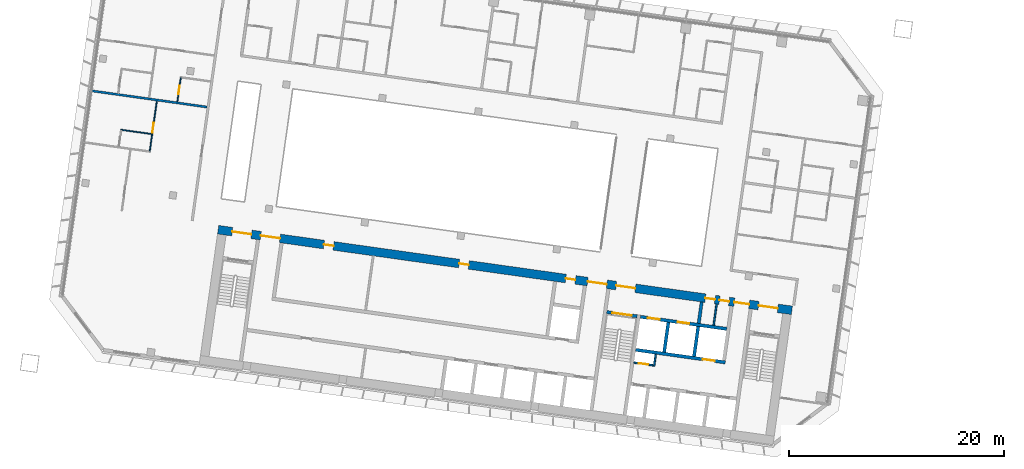
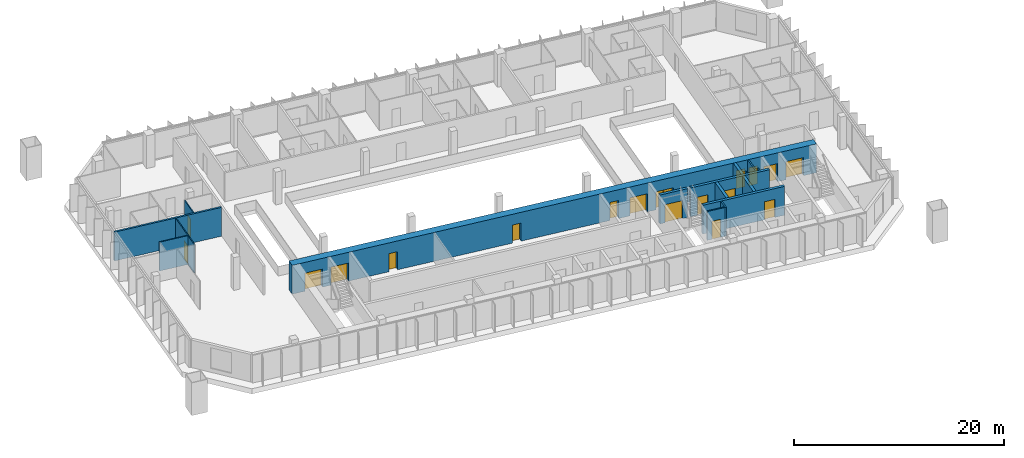
# One storey, part 15 of 27: 18 doors, 14 walls, 18 openings.
"""IFC4 building model written with IfcOpenShell, lengths in metres."""

from ifc_helpers import new_model, si_unit, direction, frame, frame_2d, origin, place, context, subcontext, project, spatial, rectangle, extrude, material, layer, layer_set, type_object, element, fill, save


model = new_model("IFC4")

# Units and contexts
model_context = context("Model", 3, precision=1e-05, world=origin(), true_north=direction((0.0, 1.0)))
body_context = subcontext(model_context, "Body", "Model", "MODEL_VIEW")
ifc_project = project(units=[si_unit("LENGTHUNIT", "METRE"), si_unit("AREAUNIT", "SQUARE_METRE"), si_unit("VOLUMEUNIT", "CUBIC_METRE"), si_unit("PLANEANGLEUNIT", "RADIAN"), si_unit("MASSUNIT", "GRAM", prefix="KILO")], contexts=[model_context])

# Site, building, storey
site_placement = place(None, origin())
site = spatial("IfcSite", under=ifc_project, at=site_placement, CompositionType="ELEMENT")
building_placement = place(site_placement, origin())
building = spatial("IfcBuilding", under=site, at=building_placement, Name="Mirante Cascada Hotel Towers", CompositionType="ELEMENT")
storey_placement = place(building_placement, frame((0.0, 0.0, 117.7)))
storey = spatial("IfcBuildingStorey", under=building, at=storey_placement, Name="L26", CompositionType="ELEMENT", Elevation=117.7)

# Walls
ifc_material_1 = material(Name="Fire-rated plasterboard on metal studs")
ifc_layer_1 = layer(ifc_material_1, 0.2)
ifc_layer_set_1 = layer_set([ifc_layer_1], Name="Compartment wall 200 EI 120")
wall_type_1 = type_object("IfcWallType", Name="Compartment wall 200 EI 120", PredefinedType="PARTITIONING", material=ifc_layer_set_1)
wall_1_placement = place(storey_placement, frame((-89.7337, 11.2758, 0.0), z_axis=(0.0, 0.0, 1.0), x_axis=(-0.990268, 0.1391733, 0.0)))
element("IfcWall", 1, at=wall_1_placement, inside=storey, type_object=wall_type_1, Name="Wall 1-L26-09", PredefinedType="PARTITIONING", context=body_context, shape_type="SweptSolid", body=[
    extrude(rectangle(XDim=11.0, YDim=0.2, at=frame_2d((5.5, 0.0))), origin(), (0.0, 0.0, 1.0), 3.35),
])
ifc_material_2 = material(Name="Masonry block", Category="masonry")
ifc_layer_2 = layer(ifc_material_2, 0.15)
ifc_layer_set_2 = layer_set([ifc_layer_2], Name="Core room partition 150 block EI 30")
wall_type_2 = type_object("IfcWallType", Name="Core room partition 150 block EI 30", PredefinedType="PARTITIONING", material=ifc_layer_set_2)
wall_2_placement = place(storey_placement, frame((-48.2295, -12.793, 0.0), z_axis=(0.0, 0.0, 1.0), x_axis=(0.1391935, 0.9902652, 0.0)))
element("IfcWall", 2, at=wall_2_placement, inside=storey, type_object=wall_type_2, Name="Core wall partition T1 L26 2", PredefinedType="PARTITIONING", context=body_context, shape_type="SweptSolid", body=[
    extrude(rectangle(XDim=1.1251, YDim=0.15, at=frame_2d((0.5626, 0.0))), origin(), (0.0, 0.0, 1.0), 3.35),
])

# Wall, opening, door
wall_3_placement = place(storey_placement, frame((-48.2933, -12.7083, 0.0), z_axis=(0.0, 0.0, 1.0), x_axis=(-0.990268, 0.1391734, 0.0)))
wall_3 = element("IfcWall", 3, at=wall_3_placement, inside=storey, type_object=wall_type_2, Name="Core wall partition T1 L26 3", PredefinedType="PARTITIONING", context=body_context, shape_type="SweptSolid", body=[
    extrude(rectangle(XDim=1.8251, YDim=0.15, at=frame_2d((0.9126, 0.0))), origin(), (0.0, 0.0, 1.0), 3.35),
])
opening_1_placement = place(wall_3_placement, frame((0.4625, 0.0, 0.0)))
opening_1 = element("IfcOpeningElement", 4, at=opening_1_placement, cuts=wall_3, Name="Opening D1-26-C23", PredefinedType="OPENING", context=body_context, shape_type="SweptSolid", body=[
    extrude(rectangle(XDim=0.9, YDim=2.1, at=frame_2d((0.45, 1.05))), frame((0.0, 0.075, 0.0), z_axis=(0.0, -1.0, 0.0), x_axis=(1.0, 0.0, 0.0)), (0.0, 0.0, 1.0), 0.15),
])
ifc_material_3 = material(Name="Hollow metal fire door leaf")
door_type_1 = type_object("IfcDoorType", Name="Fire door 900x2100 FD60", OperationType="NOTDEFINED", PredefinedType="DOOR", material=ifc_material_3)
door_1_placement = place(opening_1_placement, origin())
door_1 = element("IfcDoor", 5, at=door_1_placement, inside=storey, type_object=door_type_1, Name="Riser door T1 L26 23", OperationType="SINGLE_SWING_LEFT", OverallHeight=2.1, OverallWidth=0.9, PredefinedType="DOOR", context=body_context, shape_type="SweptSolid", body=[
    extrude(rectangle(XDim=0.9, YDim=2.1, at=frame_2d((0.45, 1.05))), frame((0.0, 0.025, 0.0), z_axis=(0.0, -1.0, 0.0), x_axis=(1.0, 0.0, 0.0)), (0.0, 0.0, 1.0), 0.05),
])
fill(opening_1, door_1)

# Walls
wall_4_placement = place(storey_placement, frame((-42.6979, -9.0009, 0.0), z_axis=(0.0, 0.0, 1.0), x_axis=(0.1391529, 0.9902709, 0.0)))
element("IfcWall", 6, at=wall_4_placement, inside=storey, type_object=wall_type_2, Name="Core wall partition T1 L26 4", PredefinedType="PARTITIONING", context=body_context, shape_type="SweptSolid", body=[
    extrude(rectangle(XDim=2.0, YDim=0.15, at=frame_2d((1.0, 0.0))), origin(), (0.0, 0.0, 1.0), 3.35),
])
ifc_material_4 = material(Name="Masonry block", Category="masonry")
ifc_layer_3 = layer(ifc_material_4, 0.3)
ifc_layer_set_3 = layer_set([ifc_layer_3], Name="Core wall 300 block EI 120")
wall_type_3 = type_object("IfcWallType", Name="Core wall 300 block EI 120", PredefinedType="PARTITIONING", material=ifc_layer_set_3)
wall_5_placement = place(storey_placement, frame((-44.0843, -8.8061, 0.0), z_axis=(0.0, 0.0, 1.0), x_axis=(0.1391951, 0.990265, 0.0)))
element("IfcWall", 7, at=wall_5_placement, inside=storey, type_object=wall_type_3, Name="Core wall partition T1 L26 1", PredefinedType="PARTITIONING", context=body_context, shape_type="SweptSolid", body=[
    extrude(rectangle(XDim=2.0001, YDim=0.3, at=frame_2d((1.0001, 0.0))), origin(), (0.0, 0.0, 1.0), 3.35),
])
ifc_material_5 = material(Name="Plasterboard on metal studs")
ifc_layer_4 = layer(ifc_material_5, 0.1)
ifc_layer_set_4 = layer_set([ifc_layer_4], Name="Partition 100")
wall_type_4 = type_object("IfcWallType", Name="Partition 100", PredefinedType="PARTITIONING", material=ifc_layer_set_4)
wall_6_placement = place(storey_placement, frame((-94.8828, 8.768, 0.0), z_axis=(0.0, 0.0, 1.0), x_axis=(-0.9902683, 0.1391714, 0.0)))
element("IfcWall", 8, at=wall_6_placement, inside=storey, type_object=wall_type_4, Name="Wall 1-L26-05", PredefinedType="PARTITIONING", context=body_context, shape_type="SweptSolid", body=[
    extrude(rectangle(XDim=2.9, YDim=0.1, at=frame_2d((1.45, 0.0))), origin(), (0.0, 0.0, 1.0), 3.35),
])

# Wall, opening, door
wall_7_placement = place(storey_placement, frame((-92.4925, 11.7645, 0.0), z_axis=(0.0, 0.0, 1.0), x_axis=(0.1391561, 0.9902705, 0.0)))
wall_7 = element("IfcWall", 9, at=wall_7_placement, inside=storey, type_object=wall_type_4, Name="Wall 1-L26-57", PredefinedType="PARTITIONING", context=body_context, shape_type="SweptSolid", body=[
    extrude(rectangle(XDim=2.25, YDim=0.1, at=frame_2d((1.125, 0.0))), origin(), (0.0, 0.0, 1.0), 3.35),
])
opening_2_placement = place(wall_7_placement, frame((0.7, 0.0, 0.0)))
opening_2 = element("IfcOpeningElement", 10, at=opening_2_placement, cuts=wall_7, Name="Opening D1-L26-37", PredefinedType="OPENING", context=body_context, shape_type="SweptSolid", body=[
    extrude(rectangle(XDim=0.8, YDim=2.1, at=frame_2d((0.4, 1.05))), frame((0.0, 0.05, 0.0), z_axis=(0.0, -1.0, 0.0), x_axis=(1.0, 0.0, 0.0)), (0.0, 0.0, 1.0), 0.1),
])
ifc_material_6 = material(Name="Timber door leaf", Category="wood")
door_type_2 = type_object("IfcDoorType", Name="Bathroom door DG4 800x2100", OperationType="SINGLE_SWING_LEFT", PredefinedType="DOOR", material=ifc_material_6)
door_2_placement = place(opening_2_placement, frame((0.8, 0.0, 0.0), z_axis=(0.0, 0.0, 1.0), x_axis=(-1.0, 0.0, 0.0)))
door_2 = element("IfcDoor", 11, at=door_2_placement, inside=storey, type_object=door_type_2, Name="Door D1-L26-37", OperationType="SINGLE_SWING_RIGHT", OverallHeight=2.1, OverallWidth=0.8, PredefinedType="DOOR", context=body_context, shape_type="SweptSolid", body=[
    extrude(rectangle(XDim=0.8, YDim=2.1, at=frame_2d((0.4, 1.05))), frame((0.0, 0.025, 0.0), z_axis=(0.0, -1.0, 0.0), x_axis=(1.0, 0.0, 0.0)), (0.0, 0.0, 1.0), 0.05),
])
fill(opening_2, door_2)

wall_8_placement = place(storey_placement, frame((-94.4019, 11.8309, 0.0), z_axis=(0.0, 0.0, 1.0), x_axis=(-0.139176, -0.9902677, 0.0)))
wall_8 = element("IfcWall", 12, at=wall_8_placement, inside=storey, type_object=wall_type_4, Name="Wall 1-L26-58", PredefinedType="PARTITIONING", context=body_context, shape_type="SweptSolid", body=[
    extrude(rectangle(XDim=4.6833, YDim=0.1, at=frame_2d((2.3416, 0.0))), origin(), (0.0, 0.0, 1.0), 3.35),
])
opening_3_placement = place(wall_8_placement, frame((2.05, 0.0, 0.0)))
opening_3 = element("IfcOpeningElement", 13, at=opening_3_placement, cuts=wall_8, Name="Opening D1-L26-38", PredefinedType="OPENING", context=body_context, shape_type="SweptSolid", body=[
    extrude(rectangle(XDim=0.9, YDim=2.1, at=frame_2d((0.45, 1.05))), frame((0.0, 0.05, 0.0), z_axis=(0.0, -1.0, 0.0), x_axis=(1.0, 0.0, 0.0)), (0.0, 0.0, 1.0), 0.1),
])
ifc_material_7 = material(Name="Timber door leaf", Category="wood")
door_type_3 = type_object("IfcDoorType", Name="Room door DG3 900x2100", OperationType="SINGLE_SWING_LEFT", PredefinedType="DOOR", material=ifc_material_7)
door_3_placement = place(opening_3_placement, origin())
door_3 = element("IfcDoor", 14, at=door_3_placement, inside=storey, type_object=door_type_3, Name="Door D1-L26-38", OperationType="SINGLE_SWING_LEFT", OverallHeight=2.1, OverallWidth=0.9, PredefinedType="DOOR", context=body_context, shape_type="SweptSolid", body=[
    extrude(rectangle(XDim=0.9, YDim=2.1, at=frame_2d((0.45, 1.05))), frame((0.0, 0.025, 0.0), z_axis=(0.0, -1.0, 0.0), x_axis=(1.0, 0.0, 0.0)), (0.0, 0.0, 1.0), 0.05),
])
fill(opening_3, door_3)

ifc_material_8 = material(Name="Concrete C50/60", Category="concrete")
ifc_layer_5 = layer(ifc_material_8, 0.3)
ifc_layer_set_5 = layer_set([ifc_layer_5], Name="RC core wall 300 C50/60")
wall_type_5 = type_object("IfcWallType", Name="RC core wall 300 C50/60", PredefinedType="SHEAR", material=ifc_layer_set_5)
wall_9_placement = place(storey_placement, frame((-49.7992, -8.1544, 0.0), z_axis=(0.0, 0.0, 1.0), x_axis=(-0.9902656, 0.1391909, 0.0)))
wall_9 = element("IfcWall", 15, at=wall_9_placement, inside=storey, type_object=wall_type_5, Name="Core wall T1:L26:10", PredefinedType="SHEAR", context=body_context, shape_type="SweptSolid", body=[
    extrude(rectangle(XDim=2.85, YDim=0.3, at=frame_2d((1.425, 0.0))), origin(), (0.0, 0.0, 1.0), 3.35),
])
opening_4_placement = place(wall_9_placement, frame((0.525, 0.0, 0.0)))
opening_4 = element("IfcOpeningElement", 16, at=opening_4_placement, cuts=wall_9, Name="Opening D1-26-C15", PredefinedType="OPENING", context=body_context, shape_type="SweptSolid", body=[
    extrude(rectangle(XDim=1.8, YDim=2.1, at=frame_2d((0.9, 1.05))), frame((0.0, 0.15, 0.0), z_axis=(0.0, -1.0, 0.0), x_axis=(1.0, 0.0, 0.0)), (0.0, 0.0, 1.0), 0.3),
])
ifc_material_9 = material(Name="Hollow metal fire door leaf")
door_type_4 = type_object("IfcDoorType", Name="Double fire door 1800x2100 FD60", OperationType="DOUBLE_DOOR_SINGLE_SWING", PredefinedType="DOOR", material=ifc_material_9)
door_4_placement = place(opening_4_placement, origin())
door_4 = element("IfcDoor", 17, at=door_4_placement, inside=storey, type_object=door_type_4, Name="Stair door T1 L26 15", OperationType="DOUBLE_DOOR_SINGLE_SWING", OverallHeight=2.1, OverallWidth=1.8, PredefinedType="DOOR", context=body_context, shape_type="SweptSolid", body=[
    extrude(rectangle(XDim=0.895, YDim=2.1, at=frame_2d((0.4475, 1.05))), frame((0.0, 0.025, 0.0), z_axis=(0.0, -1.0, 0.0), x_axis=(1.0, 0.0, 0.0)), (0.0, 0.0, 1.0), 0.05),
    extrude(rectangle(XDim=0.895, YDim=2.1, at=frame_2d((1.3525, 1.05))), frame((0.0, 0.025, 0.0), z_axis=(0.0, -1.0, 0.0), x_axis=(1.0, 0.0, 0.0)), (0.0, 0.0, 1.0), 0.05),
])
fill(opening_4, door_4)

wall_10_placement = place(storey_placement, frame((-41.6153, -12.435, 0.0), z_axis=(0.0, 0.0, 1.0), x_axis=(-0.9902691, 0.139166, 0.0)))
wall_10 = element("IfcWall", 18, at=wall_10_placement, inside=storey, type_object=wall_type_5, Name="Core wall T1:L26:13", PredefinedType="SHEAR", context=body_context, shape_type="SweptSolid", body=[
    extrude(rectangle(XDim=8.4, YDim=0.3, at=frame_2d((4.2, 0.0))), origin(), (0.0, 0.0, 1.0), 3.35),
])
opening_5_placement = place(wall_10_placement, frame((1.0, 0.0, 0.0)))
opening_5 = element("IfcOpeningElement", 19, at=opening_5_placement, cuts=wall_10, Name="Opening LD", PredefinedType="OPENING", context=body_context, shape_type="SweptSolid", body=[
    extrude(rectangle(XDim=1.1, YDim=2.1, at=frame_2d((0.55, 1.05))), frame((0.0, 0.15, 0.0), z_axis=(0.0, -1.0, 0.0), x_axis=(1.0, 0.0, 0.0)), (0.0, 0.0, 1.0), 0.3),
])
ifc_material_10 = material(Name="Stainless steel", Category="steel")
door_type_5 = type_object("IfcDoorType", Name="Lift landing door 1100x2100 EI 120", OperationType="DOUBLE_DOOR_SLIDING", PredefinedType="DOOR", material=ifc_material_10)
door_5_placement = place(opening_5_placement, origin())
door_5 = element("IfcDoor", 20, at=door_5_placement, inside=storey, type_object=door_type_5, Name="Lift landing door HR1-4 L26", OperationType="DOUBLE_DOOR_SLIDING", OverallHeight=2.1, OverallWidth=1.1, PredefinedType="DOOR", context=body_context, shape_type="SweptSolid", body=[
    extrude(rectangle(XDim=0.545, YDim=2.1, at=frame_2d((0.2725, 1.05))), frame((0.0, 0.025, 0.0), z_axis=(0.0, -1.0, 0.0), x_axis=(1.0, 0.0, 0.0)), (0.0, 0.0, 1.0), 0.05),
    extrude(rectangle(XDim=0.545, YDim=2.1, at=frame_2d((0.8275, 1.05))), frame((0.0, 0.025, 0.0), z_axis=(0.0, -1.0, 0.0), x_axis=(1.0, 0.0, 0.0)), (0.0, 0.0, 1.0), 0.05),
])
fill(opening_5, door_5)

# Wall, openings, doors
wall_11_placement = place(storey_placement, frame((-41.481, -9.3234, 0.0), z_axis=(0.0, 0.0, 1.0), x_axis=(-0.9902679, 0.1391741, 0.0)))
wall_11 = element("IfcWall", 21, at=wall_11_placement, inside=storey, type_object=wall_type_5, Name="Core wall T1:L26:14", PredefinedType="SHEAR", context=body_context, shape_type="SweptSolid", body=[
    extrude(rectangle(XDim=8.0999, YDim=0.3, at=frame_2d((4.05, 0.0))), origin(), (0.0, 0.0, 1.0), 3.35),
])
opening_6_placement = place(wall_11_placement, frame((3.5, 0.0, 0.0)))
opening_6 = element("IfcOpeningElement", 22, at=opening_6_placement, cuts=wall_11, Name="Opening LD", PredefinedType="OPENING", context=body_context, shape_type="SweptSolid", body=[
    extrude(rectangle(XDim=1.1, YDim=2.1, at=frame_2d((0.55, 1.05))), frame((0.0, 0.15, 0.0), z_axis=(0.0, -1.0, 0.0), x_axis=(1.0, 0.0, 0.0)), (0.0, 0.0, 1.0), 0.3),
])
opening_7_placement = place(wall_11_placement, frame((6.3, 0.0, 0.0)))
opening_7 = element("IfcOpeningElement", 23, at=opening_7_placement, cuts=wall_11, Name="Opening LD", PredefinedType="OPENING", context=body_context, shape_type="SweptSolid", body=[
    extrude(rectangle(XDim=1.1, YDim=2.1, at=frame_2d((0.55, 1.05))), frame((0.0, 0.15, 0.0), z_axis=(0.0, -1.0, 0.0), x_axis=(1.0, 0.0, 0.0)), (0.0, 0.0, 1.0), 0.3),
])
door_6_placement = place(opening_6_placement, origin())
door_6 = element("IfcDoor", 24, at=door_6_placement, inside=storey, type_object=door_type_5, Name="Lift landing door FF1 L26", OperationType="DOUBLE_DOOR_SLIDING", OverallHeight=2.1, OverallWidth=1.1, PredefinedType="DOOR", context=body_context, shape_type="SweptSolid", body=[
    extrude(rectangle(XDim=0.545, YDim=2.1, at=frame_2d((0.2725, 1.05))), frame((0.0, 0.025, 0.0), z_axis=(0.0, -1.0, 0.0), x_axis=(1.0, 0.0, 0.0)), (0.0, 0.0, 1.0), 0.05),
    extrude(rectangle(XDim=0.545, YDim=2.1, at=frame_2d((0.8275, 1.05))), frame((0.0, 0.025, 0.0), z_axis=(0.0, -1.0, 0.0), x_axis=(1.0, 0.0, 0.0)), (0.0, 0.0, 1.0), 0.05),
])
fill(opening_6, door_6)
door_7_placement = place(opening_7_placement, origin())
door_7 = element("IfcDoor", 25, at=door_7_placement, inside=storey, type_object=door_type_5, Name="Lift landing door FF2 L26", OperationType="DOUBLE_DOOR_SLIDING", OverallHeight=2.1, OverallWidth=1.1, PredefinedType="DOOR", context=body_context, shape_type="SweptSolid", body=[
    extrude(rectangle(XDim=0.545, YDim=2.1, at=frame_2d((0.2725, 1.05))), frame((0.0, 0.025, 0.0), z_axis=(0.0, -1.0, 0.0), x_axis=(1.0, 0.0, 0.0)), (0.0, 0.0, 1.0), 0.05),
    extrude(rectangle(XDim=0.545, YDim=2.1, at=frame_2d((0.8275, 1.05))), frame((0.0, 0.025, 0.0), z_axis=(0.0, -1.0, 0.0), x_axis=(1.0, 0.0, 0.0)), (0.0, 0.0, 1.0), 0.05),
])
fill(opening_7, door_7)

# Walls
for number, where, z_axis, x_axis, name in (
    (26, (-44.5157, -11.8759, 0.0), (0.0, 0.0, 1.0), (0.139181, 0.990267, 0.0), "Core wall T1:L26:18"),
    (27, (-47.2885, -11.4862, 0.0), (0.0, 0.0, 1.0), (0.139181, 0.990267, 0.0), "Core wall T1:L26:19"),
):
    element("IfcWall", number, at=place(storey_placement, frame(where, z_axis=z_axis, x_axis=x_axis)), inside=storey, type_object=wall_type_5, Name=name, PredefinedType="SHEAR", context=body_context, shape_type="SweptSolid", body=[
        extrude(rectangle(XDim=2.8, YDim=0.3, at=frame_2d((1.4, 0.0))), origin(), (0.0, 0.0, 1.0), 3.35),
    ])

# Wall, openings, doors
ifc_material_11 = material(Name="Concrete C50/60", Category="concrete")
ifc_layer_6 = layer(ifc_material_11, 0.8)
ifc_layer_set_6 = layer_set([ifc_layer_6], Name="RC core wall 800 C50/60")
wall_type_6 = type_object("IfcWallType", Name="RC core wall 800 C50/60", PredefinedType="SHEAR", material=ifc_layer_set_6)
wall_12_placement = place(storey_placement, frame((-35.432, -7.5985, 0.0), z_axis=(0.0, 0.0, 1.0), x_axis=(-0.9902681, 0.1391729, 0.0)))
wall_12 = element("IfcWall", 28, at=wall_12_placement, inside=storey, type_object=wall_type_6, Name="Core wall T1:L26:2", PredefinedType="SHEAR", context=body_context, shape_type="SweptSolid", body=[
    extrude(rectangle(XDim=53.8, YDim=0.8, at=frame_2d((26.9, 0.0))), origin(), (0.0, 0.0, 1.0), 3.35),
])
opening_8_placement = place(wall_12_placement, frame((1.325, 0.0, 0.0)))
opening_8 = element("IfcOpeningElement", 29, at=opening_8_placement, cuts=wall_12, Name="Opening D1-26-C14", PredefinedType="OPENING", context=body_context, shape_type="SweptSolid", body=[
    extrude(rectangle(XDim=1.8, YDim=2.1, at=frame_2d((0.9, 1.05))), frame((0.0, 0.4, 0.0), z_axis=(0.0, -1.0, 0.0), x_axis=(1.0, 0.0, 0.0)), (0.0, 0.0, 1.0), 0.8),
])
opening_9_placement = place(wall_12_placement, frame((14.675, 0.0, 0.0)))
opening_9 = element("IfcOpeningElement", 30, at=opening_9_placement, cuts=wall_12, Name="Opening D1-26-C16", PredefinedType="OPENING", context=body_context, shape_type="SweptSolid", body=[
    extrude(rectangle(XDim=1.8, YDim=2.1, at=frame_2d((0.9, 1.05))), frame((0.0, 0.4, 0.0), z_axis=(0.0, -1.0, 0.0), x_axis=(1.0, 0.0, 0.0)), (0.0, 0.0, 1.0), 0.8),
])
opening_10_placement = place(wall_12_placement, frame((50.675, 0.0, 0.0)))
opening_10 = element("IfcOpeningElement", 31, at=opening_10_placement, cuts=wall_12, Name="Opening D1-26-C18", PredefinedType="OPENING", context=body_context, shape_type="SweptSolid", body=[
    extrude(rectangle(XDim=1.8, YDim=2.1, at=frame_2d((0.9, 1.05))), frame((0.0, 0.4, 0.0), z_axis=(0.0, -1.0, 0.0), x_axis=(1.0, 0.0, 0.0)), (0.0, 0.0, 1.0), 0.8),
])
opening_11_placement = place(wall_12_placement, frame((4.0, 0.0, 0.0)))
opening_11 = element("IfcOpeningElement", 32, at=opening_11_placement, cuts=wall_12, Name="Opening D1-26-C19", PredefinedType="OPENING", context=body_context, shape_type="SweptSolid", body=[
    extrude(rectangle(XDim=1.4, YDim=2.1, at=frame_2d((0.7, 1.05))), frame((0.0, 0.4, 0.0), z_axis=(0.0, -1.0, 0.0), x_axis=(1.0, 0.0, 0.0)), (0.0, 0.0, 1.0), 0.8),
])
opening_12_placement = place(wall_12_placement, frame((17.35, 0.0, 0.0)))
opening_12 = element("IfcOpeningElement", 33, at=opening_12_placement, cuts=wall_12, Name="Opening D1-26-C20", PredefinedType="OPENING", context=body_context, shape_type="SweptSolid", body=[
    extrude(rectangle(XDim=1.8, YDim=2.1, at=frame_2d((0.9, 1.05))), frame((0.0, 0.4, 0.0), z_axis=(0.0, -1.0, 0.0), x_axis=(1.0, 0.0, 0.0)), (0.0, 0.0, 1.0), 0.8),
])
opening_13_placement = place(wall_12_placement, frame((48.0, 0.0, 0.0)))
opening_13 = element("IfcOpeningElement", 34, at=opening_13_placement, cuts=wall_12, Name="Opening D1-26-C21", PredefinedType="OPENING", context=body_context, shape_type="SweptSolid", body=[
    extrude(rectangle(XDim=1.8, YDim=2.1, at=frame_2d((0.9, 1.05))), frame((0.0, 0.4, 0.0), z_axis=(0.0, -1.0, 0.0), x_axis=(1.0, 0.0, 0.0)), (0.0, 0.0, 1.0), 0.8),
])
opening_14_placement = place(wall_12_placement, frame((5.8875, 0.0, 0.0)))
opening_14 = element("IfcOpeningElement", 35, at=opening_14_placement, cuts=wall_12, Name="Opening D1-26-C24", PredefinedType="OPENING", context=body_context, shape_type="SweptSolid", body=[
    extrude(rectangle(XDim=0.9, YDim=2.1, at=frame_2d((0.45, 1.05))), frame((0.0, 0.4, 0.0), z_axis=(0.0, -1.0, 0.0), x_axis=(1.0, 0.0, 0.0)), (0.0, 0.0, 1.0), 0.8),
])
opening_15_placement = place(wall_12_placement, frame((7.2125, 0.0, 0.0)))
opening_15 = element("IfcOpeningElement", 36, at=opening_15_placement, cuts=wall_12, Name="Opening D1-26-C25", PredefinedType="OPENING", context=body_context, shape_type="SweptSolid", body=[
    extrude(rectangle(XDim=0.9, YDim=2.1, at=frame_2d((0.45, 1.05))), frame((0.0, 0.4, 0.0), z_axis=(0.0, -1.0, 0.0), x_axis=(1.0, 0.0, 0.0)), (0.0, 0.0, 1.0), 0.8),
])
opening_16_placement = place(wall_12_placement, frame((20.3, 0.0, 0.0)))
opening_16 = element("IfcOpeningElement", 37, at=opening_16_placement, cuts=wall_12, Name="Opening D1-26-C28", PredefinedType="OPENING", context=body_context, shape_type="SweptSolid", body=[
    extrude(rectangle(XDim=0.9, YDim=2.1, at=frame_2d((0.45, 1.05))), frame((0.0, 0.4, 0.0), z_axis=(0.0, -1.0, 0.0), x_axis=(1.0, 0.0, 0.0)), (0.0, 0.0, 1.0), 0.8),
])
opening_17_placement = place(wall_12_placement, frame((30.3, 0.0, 0.0)))
opening_17 = element("IfcOpeningElement", 38, at=opening_17_placement, cuts=wall_12, Name="Opening D1-26-C29", PredefinedType="OPENING", context=body_context, shape_type="SweptSolid", body=[
    extrude(rectangle(XDim=0.9, YDim=2.1, at=frame_2d((0.45, 1.05))), frame((0.0, 0.4, 0.0), z_axis=(0.0, -1.0, 0.0), x_axis=(1.0, 0.0, 0.0)), (0.0, 0.0, 1.0), 0.8),
])
opening_18_placement = place(wall_12_placement, frame((42.975, 0.0, 0.0)))
opening_18 = element("IfcOpeningElement", 39, at=opening_18_placement, cuts=wall_12, Name="Opening D1-26-C30", PredefinedType="OPENING", context=body_context, shape_type="SweptSolid", body=[
    extrude(rectangle(XDim=0.9, YDim=2.1, at=frame_2d((0.45, 1.05))), frame((0.0, 0.4, 0.0), z_axis=(0.0, -1.0, 0.0), x_axis=(1.0, 0.0, 0.0)), (0.0, 0.0, 1.0), 0.8),
])
ifc_material_12 = material(Name="Hollow metal fire door leaf")
door_type_6 = type_object("IfcDoorType", Name="Double fire door 1400x2100 FD60", OperationType="DOUBLE_DOOR_SINGLE_SWING", PredefinedType="DOOR", material=ifc_material_12)
door_8_placement = place(opening_11_placement, frame((1.4, 0.0, 0.0), z_axis=(0.0, 0.0, 1.0), x_axis=(-1.0, 0.0, 0.0)))
door_8 = element("IfcDoor", 40, at=door_8_placement, inside=storey, type_object=door_type_6, Name="Exit door to gallery T1 L26 19", OperationType="DOUBLE_DOOR_SINGLE_SWING", OverallHeight=2.1, OverallWidth=1.4, PredefinedType="DOOR", context=body_context, shape_type="SweptSolid", body=[
    extrude(rectangle(XDim=0.695, YDim=2.1, at=frame_2d((0.3475, 1.05))), frame((0.0, 0.025, 0.0), z_axis=(0.0, -1.0, 0.0), x_axis=(1.0, 0.0, 0.0)), (0.0, 0.0, 1.0), 0.05),
    extrude(rectangle(XDim=0.695, YDim=2.1, at=frame_2d((1.0525, 1.05))), frame((0.0, 0.025, 0.0), z_axis=(0.0, -1.0, 0.0), x_axis=(1.0, 0.0, 0.0)), (0.0, 0.0, 1.0), 0.05),
])
fill(opening_11, door_8)
door_9_placement = place(opening_8_placement, origin())
door_9 = element("IfcDoor", 41, at=door_9_placement, inside=storey, type_object=door_type_4, Name="Exit door to gallery T1 L26 14", OperationType="DOUBLE_DOOR_SINGLE_SWING", OverallHeight=2.1, OverallWidth=1.8, PredefinedType="DOOR", context=body_context, shape_type="SweptSolid", body=[
    extrude(rectangle(XDim=0.895, YDim=2.1, at=frame_2d((0.4475, 1.05))), frame((0.0, 0.025, 0.0), z_axis=(0.0, -1.0, 0.0), x_axis=(1.0, 0.0, 0.0)), (0.0, 0.0, 1.0), 0.05),
    extrude(rectangle(XDim=0.895, YDim=2.1, at=frame_2d((1.3525, 1.05))), frame((0.0, 0.025, 0.0), z_axis=(0.0, -1.0, 0.0), x_axis=(1.0, 0.0, 0.0)), (0.0, 0.0, 1.0), 0.05),
])
fill(opening_8, door_9)
door_10_placement = place(opening_9_placement, origin())
door_10 = element("IfcDoor", 42, at=door_10_placement, inside=storey, type_object=door_type_4, Name="Exit door to gallery T1 L26 16", OperationType="DOUBLE_DOOR_SINGLE_SWING", OverallHeight=2.1, OverallWidth=1.8, PredefinedType="DOOR", context=body_context, shape_type="SweptSolid", body=[
    extrude(rectangle(XDim=0.895, YDim=2.1, at=frame_2d((0.4475, 1.05))), frame((0.0, 0.025, 0.0), z_axis=(0.0, -1.0, 0.0), x_axis=(1.0, 0.0, 0.0)), (0.0, 0.0, 1.0), 0.05),
    extrude(rectangle(XDim=0.895, YDim=2.1, at=frame_2d((1.3525, 1.05))), frame((0.0, 0.025, 0.0), z_axis=(0.0, -1.0, 0.0), x_axis=(1.0, 0.0, 0.0)), (0.0, 0.0, 1.0), 0.05),
])
fill(opening_9, door_10)
door_11_placement = place(opening_10_placement, origin())
door_11 = element("IfcDoor", 43, at=door_11_placement, inside=storey, type_object=door_type_4, Name="Exit door to gallery T1 L26 18", OperationType="DOUBLE_DOOR_SINGLE_SWING", OverallHeight=2.1, OverallWidth=1.8, PredefinedType="DOOR", context=body_context, shape_type="SweptSolid", body=[
    extrude(rectangle(XDim=0.895, YDim=2.1, at=frame_2d((0.4475, 1.05))), frame((0.0, 0.025, 0.0), z_axis=(0.0, -1.0, 0.0), x_axis=(1.0, 0.0, 0.0)), (0.0, 0.0, 1.0), 0.05),
    extrude(rectangle(XDim=0.895, YDim=2.1, at=frame_2d((1.3525, 1.05))), frame((0.0, 0.025, 0.0), z_axis=(0.0, -1.0, 0.0), x_axis=(1.0, 0.0, 0.0)), (0.0, 0.0, 1.0), 0.05),
])
fill(opening_10, door_11)
door_12_placement = place(opening_12_placement, frame((1.8, 0.0, 0.0), z_axis=(0.0, 0.0, 1.0), x_axis=(-1.0, 0.0, 0.0)))
door_12 = element("IfcDoor", 44, at=door_12_placement, inside=storey, type_object=door_type_4, Name="Exit door to gallery T1 L26 20", OperationType="DOUBLE_DOOR_SINGLE_SWING", OverallHeight=2.1, OverallWidth=1.8, PredefinedType="DOOR", context=body_context, shape_type="SweptSolid", body=[
    extrude(rectangle(XDim=0.895, YDim=2.1, at=frame_2d((0.4475, 1.05))), frame((0.0, 0.025, 0.0), z_axis=(0.0, -1.0, 0.0), x_axis=(1.0, 0.0, 0.0)), (0.0, 0.0, 1.0), 0.05),
    extrude(rectangle(XDim=0.895, YDim=2.1, at=frame_2d((1.3525, 1.05))), frame((0.0, 0.025, 0.0), z_axis=(0.0, -1.0, 0.0), x_axis=(1.0, 0.0, 0.0)), (0.0, 0.0, 1.0), 0.05),
])
fill(opening_12, door_12)
door_13_placement = place(opening_13_placement, frame((1.8, 0.0, 0.0), z_axis=(0.0, 0.0, 1.0), x_axis=(-1.0, 0.0, 0.0)))
door_13 = element("IfcDoor", 45, at=door_13_placement, inside=storey, type_object=door_type_4, Name="Exit door to gallery T1 L26 21", OperationType="DOUBLE_DOOR_SINGLE_SWING", OverallHeight=2.1, OverallWidth=1.8, PredefinedType="DOOR", context=body_context, shape_type="SweptSolid", body=[
    extrude(rectangle(XDim=0.895, YDim=2.1, at=frame_2d((0.4475, 1.05))), frame((0.0, 0.025, 0.0), z_axis=(0.0, -1.0, 0.0), x_axis=(1.0, 0.0, 0.0)), (0.0, 0.0, 1.0), 0.05),
    extrude(rectangle(XDim=0.895, YDim=2.1, at=frame_2d((1.3525, 1.05))), frame((0.0, 0.025, 0.0), z_axis=(0.0, -1.0, 0.0), x_axis=(1.0, 0.0, 0.0)), (0.0, 0.0, 1.0), 0.05),
])
fill(opening_13, door_13)
door_14_placement = place(opening_14_placement, origin())
door_14 = element("IfcDoor", 46, at=door_14_placement, inside=storey, type_object=door_type_1, Name="Room door T1 L26 24", OperationType="SINGLE_SWING_RIGHT", OverallHeight=2.1, OverallWidth=0.9, PredefinedType="DOOR", context=body_context, shape_type="SweptSolid", body=[
    extrude(rectangle(XDim=0.9, YDim=2.1, at=frame_2d((0.45, 1.05))), frame((0.0, 0.025, 0.0), z_axis=(0.0, -1.0, 0.0), x_axis=(1.0, 0.0, 0.0)), (0.0, 0.0, 1.0), 0.05),
])
fill(opening_14, door_14)
door_15_placement = place(opening_15_placement, origin())
door_15 = element("IfcDoor", 47, at=door_15_placement, inside=storey, type_object=door_type_1, Name="Room door T1 L26 25", OperationType="SINGLE_SWING_RIGHT", OverallHeight=2.1, OverallWidth=0.9, PredefinedType="DOOR", context=body_context, shape_type="SweptSolid", body=[
    extrude(rectangle(XDim=0.9, YDim=2.1, at=frame_2d((0.45, 1.05))), frame((0.0, 0.025, 0.0), z_axis=(0.0, -1.0, 0.0), x_axis=(1.0, 0.0, 0.0)), (0.0, 0.0, 1.0), 0.05),
])
fill(opening_15, door_15)
door_16_placement = place(opening_16_placement, origin())
door_16 = element("IfcDoor", 48, at=door_16_placement, inside=storey, type_object=door_type_1, Name="Room door T1 L26 28", OperationType="SINGLE_SWING_RIGHT", OverallHeight=2.1, OverallWidth=0.9, PredefinedType="DOOR", context=body_context, shape_type="SweptSolid", body=[
    extrude(rectangle(XDim=0.9, YDim=2.1, at=frame_2d((0.45, 1.05))), frame((0.0, 0.025, 0.0), z_axis=(0.0, -1.0, 0.0), x_axis=(1.0, 0.0, 0.0)), (0.0, 0.0, 1.0), 0.05),
])
fill(opening_16, door_16)
door_17_placement = place(opening_17_placement, origin())
door_17 = element("IfcDoor", 49, at=door_17_placement, inside=storey, type_object=door_type_1, Name="Room door T1 L26 29", OperationType="SINGLE_SWING_LEFT", OverallHeight=2.1, OverallWidth=0.9, PredefinedType="DOOR", context=body_context, shape_type="SweptSolid", body=[
    extrude(rectangle(XDim=0.9, YDim=2.1, at=frame_2d((0.45, 1.05))), frame((0.0, 0.025, 0.0), z_axis=(0.0, -1.0, 0.0), x_axis=(1.0, 0.0, 0.0)), (0.0, 0.0, 1.0), 0.05),
])
fill(opening_17, door_17)
door_18_placement = place(opening_18_placement, origin())
door_18 = element("IfcDoor", 50, at=door_18_placement, inside=storey, type_object=door_type_1, Name="Room door T1 L26 30", OperationType="SINGLE_SWING_LEFT", OverallHeight=2.1, OverallWidth=0.9, PredefinedType="DOOR", context=body_context, shape_type="SweptSolid", body=[
    extrude(rectangle(XDim=0.9, YDim=2.1, at=frame_2d((0.45, 1.05))), frame((0.0, 0.025, 0.0), z_axis=(0.0, -1.0, 0.0), x_axis=(1.0, 0.0, 0.0)), (0.0, 0.0, 1.0), 0.05),
])
fill(opening_18, door_18)

save(model, "model.ifc")
